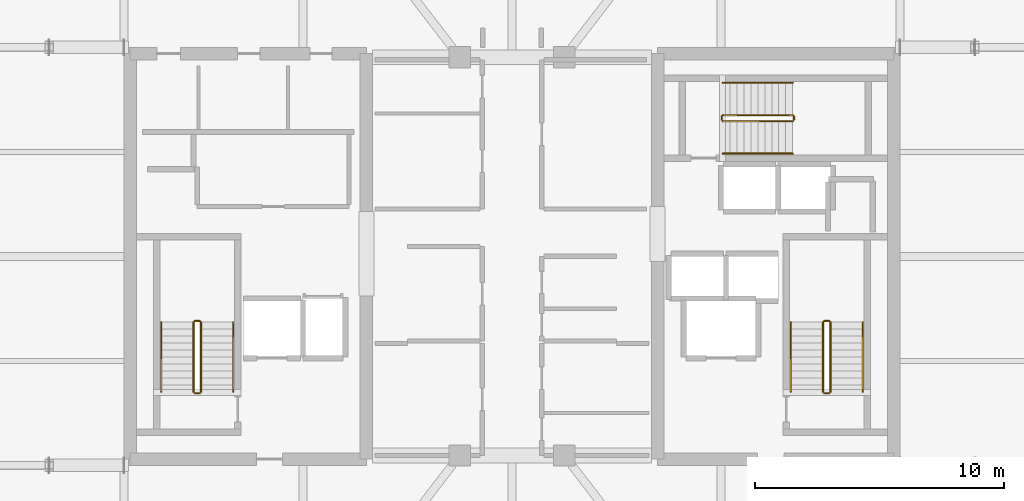
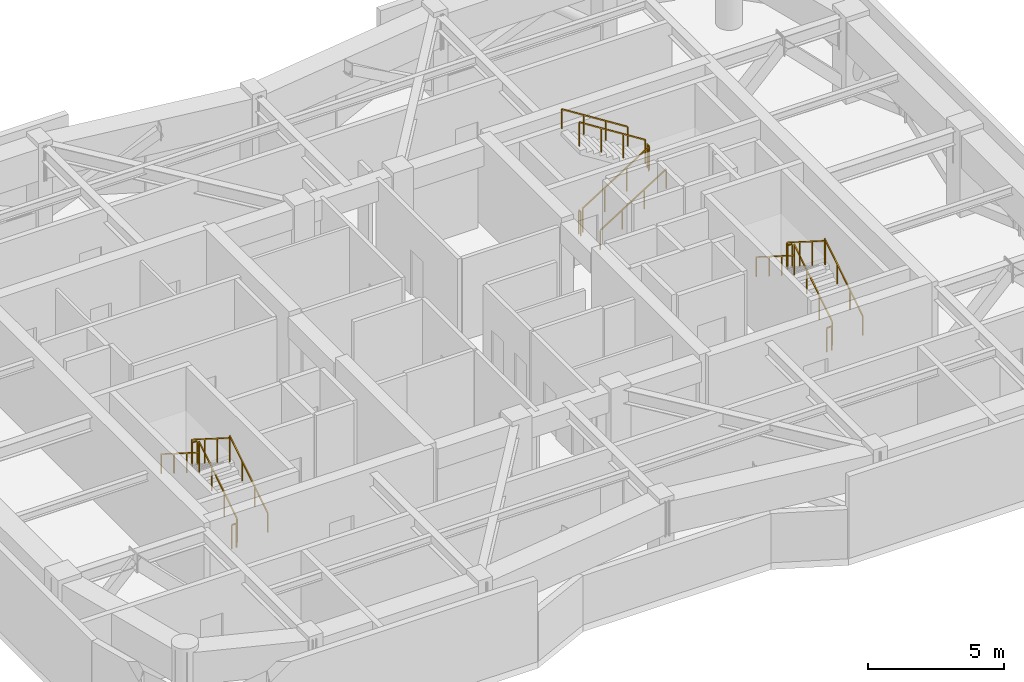
# One storey, part 11 of 11: 18 railings.
"""IFC4 building model written with IfcOpenShell, lengths in metres."""

from ifc_helpers import new_model, si_unit, direction, frame, origin, origin_2d, place, context, subcontext, project, spatial, rectangle, extrude, material, type_object, element, save


model = new_model("IFC4")

# Units and contexts
model_context = context("Model", 3, precision=1e-05, world=origin(), true_north=direction((0.0, 1.0)))
body_context = subcontext(model_context, "Body", "Model", "MODEL_VIEW")
ifc_project = project(units=[si_unit("LENGTHUNIT", "METRE"), si_unit("AREAUNIT", "SQUARE_METRE"), si_unit("VOLUMEUNIT", "CUBIC_METRE"), si_unit("PLANEANGLEUNIT", "RADIAN"), si_unit("MASSUNIT", "GRAM", prefix="KILO")], contexts=[model_context])

# Site, building, storey
site_placement = place(None, origin())
site = spatial("IfcSite", under=ifc_project, at=site_placement, CompositionType="ELEMENT")
building_placement = place(site_placement, origin())
building = spatial("IfcBuilding", under=site, at=building_placement, Name="Kiyonajd Concourse Tower", CompositionType="ELEMENT")
storey_placement = place(building_placement, frame((0.0, 0.0, 282.300048828125)))
storey = spatial("IfcBuildingStorey", under=building, at=storey_placement, Name="L71", CompositionType="ELEMENT", Elevation=282.300048828125)

# Railings
ifc_material_1 = material(Name="Steel ASTM A500 Grade C", Category="steel")
railing_type_1 = type_object("IfcRailingType", Name="RL-GRD-STR", PredefinedType="GUARDRAIL", material=ifc_material_1)
railing_1_placement = place(storey_placement, frame((35.5, 30.550048828125, 0.17724609375)))
element("IfcRailing", 1, at=railing_1_placement, inside=storey, type_object=railing_type_1, Name="L71 ST1 stair guard 1", PredefinedType="GUARDRAIL", context=body_context, shape_type="SweptSolid", body=[
    extrude(rectangle(XDim=0.048095703125, YDim=0.048095703125, at=origin_2d()), frame((0.0, 0.0, 1.076171875), z_axis=(0.0, 0.844908973607, 0.534910110503), x_axis=(-1.0, 0.0, 0.0)), (0.0, 0.0, 1.0), 3.31396484375),
    extrude(rectangle(XDim=0.0419921875, YDim=0.0419921875, at=origin_2d()), origin(), (0.0, 0.0, 1.0), 1.052001953125),
    extrude(rectangle(XDim=0.0419921875, YDim=0.0419921875, at=origin_2d()), frame((0.0, 0.933349609375, 0.5908203125)), (0.0, 0.0, 1.0), 1.052001953125),
    extrude(rectangle(XDim=0.0419921875, YDim=0.0419921875, at=origin_2d()), frame((0.0, 1.86669921875, 1.181884765625)), (0.0, 0.0, 1.0), 1.052001953125),
    extrude(rectangle(XDim=0.0419921875, YDim=0.0419921875, at=origin_2d()), frame((0.0, 2.800048828125, 1.772705078125)), (0.0, 0.0, 1.0), 1.052001953125),
])
railing_2_placement = place(storey_placement, frame((35.449951171875, 33.39990234375, 1.949951171875)))
element("IfcRailing", 2, at=railing_2_placement, inside=storey, type_object=railing_type_1, Name="L71 ST1 stair guard 2", PredefinedType="GUARDRAIL", context=body_context, shape_type="SweptSolid", body=[
    extrude(rectangle(XDim=0.048095703125, YDim=0.048095703125, at=origin_2d()), frame((0.0, 0.0, 1.076171875), z_axis=(-1.0, 0.0, 0.0), x_axis=(0.0, -1.0, 0.0)), (0.0, 0.0, 1.0), 0.199951171875),
    extrude(rectangle(XDim=0.0419921875, YDim=0.0419921875, at=origin_2d()), origin(), (0.0, 0.0, 1.0), 1.052001953125),
    extrude(rectangle(XDim=0.0419921875, YDim=0.0419921875, at=origin_2d()), frame((-0.199951171875, 0.0, 0.0)), (0.0, 0.0, 1.0), 1.052001953125),
])
railing_3_placement = place(storey_placement, frame((35.199951171875, 33.35009765625, 2.127197265625)))
element("IfcRailing", 3, at=railing_3_placement, inside=storey, type_object=railing_type_1, Name="L71 ST1 stair guard 3", PredefinedType="GUARDRAIL", context=body_context, shape_type="SweptSolid", body=[
    extrude(rectangle(XDim=0.048095703125, YDim=0.048095703125, at=origin_2d()), frame((0.0, 0.0, 1.076171875), z_axis=(0.0, -0.844908973607, 0.534910110503), x_axis=(1.0, 0.0, 0.0)), (0.0, 0.0, 1.0), 3.31396484375),
    extrude(rectangle(XDim=0.0419921875, YDim=0.0419921875, at=origin_2d()), origin(), (0.0, 0.0, 1.0), 1.052001953125),
    extrude(rectangle(XDim=0.0419921875, YDim=0.0419921875, at=origin_2d()), frame((0.0, -0.933349609375, 0.5908203125)), (0.0, 0.0, 1.0), 1.052001953125),
    extrude(rectangle(XDim=0.0419921875, YDim=0.0419921875, at=origin_2d()), frame((0.0, -1.86669921875, 1.181884765625)), (0.0, 0.0, 1.0), 1.052001953125),
    extrude(rectangle(XDim=0.0419921875, YDim=0.0419921875, at=origin_2d()), frame((0.0, -2.800048828125, 1.772705078125)), (0.0, 0.0, 1.0), 1.052001953125),
])
railing_4_placement = place(storey_placement, frame((35.449951171875, 30.5, 0.0)))
element("IfcRailing", 4, at=railing_4_placement, inside=storey, type_object=railing_type_1, Name="L71 ST1 stair guard 4", PredefinedType="GUARDRAIL", context=body_context, shape_type="SweptSolid", body=[
    extrude(rectangle(XDim=0.048095703125, YDim=0.048095703125, at=origin_2d()), frame((0.0, 0.0, 1.076171875), z_axis=(-1.0, 0.0, 0.0), x_axis=(0.0, -1.0, 0.0)), (0.0, 0.0, 1.0), 0.199951171875),
    extrude(rectangle(XDim=0.0419921875, YDim=0.0419921875, at=origin_2d()), origin(), (0.0, 0.0, 1.0), 1.052001953125),
    extrude(rectangle(XDim=0.0419921875, YDim=0.0419921875, at=origin_2d()), frame((-0.199951171875, 0.0, 0.0)), (0.0, 0.0, 1.0), 1.052001953125),
])
railing_5_placement = place(storey_placement, frame((60.800048828125, 30.550048828125, 0.17724609375)))
element("IfcRailing", 5, at=railing_5_placement, inside=storey, type_object=railing_type_1, Name="L71 ST2 stair guard 1", PredefinedType="GUARDRAIL", context=body_context, shape_type="SweptSolid", body=[
    extrude(rectangle(XDim=0.048095703125, YDim=0.048095703125, at=origin_2d()), frame((0.0, 0.0, 1.076171875), z_axis=(0.0, 0.844908973607, 0.534910110503), x_axis=(-1.0, 0.0, 0.0)), (0.0, 0.0, 1.0), 3.31396484375),
    extrude(rectangle(XDim=0.0419921875, YDim=0.0419921875, at=origin_2d()), origin(), (0.0, 0.0, 1.0), 1.052001953125),
    extrude(rectangle(XDim=0.0419921875, YDim=0.0419921875, at=origin_2d()), frame((0.0, 0.933349609375, 0.5908203125)), (0.0, 0.0, 1.0), 1.052001953125),
    extrude(rectangle(XDim=0.0419921875, YDim=0.0419921875, at=origin_2d()), frame((0.0, 1.86669921875, 1.181884765625)), (0.0, 0.0, 1.0), 1.052001953125),
    extrude(rectangle(XDim=0.0419921875, YDim=0.0419921875, at=origin_2d()), frame((0.0, 2.800048828125, 1.772705078125)), (0.0, 0.0, 1.0), 1.052001953125),
])
railing_6_placement = place(storey_placement, frame((60.75, 33.39990234375, 1.949951171875)))
element("IfcRailing", 6, at=railing_6_placement, inside=storey, type_object=railing_type_1, Name="L71 ST2 stair guard 2", PredefinedType="GUARDRAIL", context=body_context, shape_type="SweptSolid", body=[
    extrude(rectangle(XDim=0.048095703125, YDim=0.048095703125, at=origin_2d()), frame((0.0, 0.0, 1.076171875), z_axis=(-1.0, 0.0, 0.0), x_axis=(0.0, -1.0, 0.0)), (0.0, 0.0, 1.0), 0.199951171875),
    extrude(rectangle(XDim=0.0419921875, YDim=0.0419921875, at=origin_2d()), origin(), (0.0, 0.0, 1.0), 1.052001953125),
    extrude(rectangle(XDim=0.0419921875, YDim=0.0419921875, at=origin_2d()), frame((-0.199951171875, 0.0, 0.0)), (0.0, 0.0, 1.0), 1.052001953125),
])
railing_7_placement = place(storey_placement, frame((60.5, 33.35009765625, 2.127197265625)))
element("IfcRailing", 7, at=railing_7_placement, inside=storey, type_object=railing_type_1, Name="L71 ST2 stair guard 3", PredefinedType="GUARDRAIL", context=body_context, shape_type="SweptSolid", body=[
    extrude(rectangle(XDim=0.048095703125, YDim=0.048095703125, at=origin_2d()), frame((0.0, 0.0, 1.076171875), z_axis=(0.0, -0.844908973607, 0.534910110503), x_axis=(1.0, 0.0, 0.0)), (0.0, 0.0, 1.0), 3.31396484375),
    extrude(rectangle(XDim=0.0419921875, YDim=0.0419921875, at=origin_2d()), origin(), (0.0, 0.0, 1.0), 1.052001953125),
    extrude(rectangle(XDim=0.0419921875, YDim=0.0419921875, at=origin_2d()), frame((0.0, -0.933349609375, 0.5908203125)), (0.0, 0.0, 1.0), 1.052001953125),
    extrude(rectangle(XDim=0.0419921875, YDim=0.0419921875, at=origin_2d()), frame((0.0, -1.86669921875, 1.181884765625)), (0.0, 0.0, 1.0), 1.052001953125),
    extrude(rectangle(XDim=0.0419921875, YDim=0.0419921875, at=origin_2d()), frame((0.0, -2.800048828125, 1.772705078125)), (0.0, 0.0, 1.0), 1.052001953125),
])
railing_8_placement = place(storey_placement, frame((60.75, 30.5, 0.0)))
element("IfcRailing", 8, at=railing_8_placement, inside=storey, type_object=railing_type_1, Name="L71 ST2 stair guard 4", PredefinedType="GUARDRAIL", context=body_context, shape_type="SweptSolid", body=[
    extrude(rectangle(XDim=0.048095703125, YDim=0.048095703125, at=origin_2d()), frame((0.0, 0.0, 1.076171875), z_axis=(-1.0, 0.0, 0.0), x_axis=(0.0, -1.0, 0.0)), (0.0, 0.0, 1.0), 0.199951171875),
    extrude(rectangle(XDim=0.0419921875, YDim=0.0419921875, at=origin_2d()), origin(), (0.0, 0.0, 1.0), 1.052001953125),
    extrude(rectangle(XDim=0.0419921875, YDim=0.0419921875, at=origin_2d()), frame((-0.199951171875, 0.0, 0.0)), (0.0, 0.0, 1.0), 1.052001953125),
])
railing_9_placement = place(storey_placement, frame((56.47998046875, 41.429931640625, 0.17724609375)))
element("IfcRailing", 9, at=railing_9_placement, inside=storey, type_object=railing_type_1, Name="L71 ST3 stair guard 1", PredefinedType="GUARDRAIL", context=body_context, shape_type="SweptSolid", body=[
    extrude(rectangle(XDim=0.048095703125, YDim=0.048095703125, at=origin_2d()), frame((0.0, 0.0, 1.076171875), z_axis=(0.844908973607, 0.0, 0.534910110503), x_axis=(0.0, 1.0, 0.0)), (0.0, 0.0, 1.0), 3.31396484375),
    extrude(rectangle(XDim=0.0419921875, YDim=0.0419921875, at=origin_2d()), origin(), (0.0, 0.0, 1.0), 1.052001953125),
    extrude(rectangle(XDim=0.0419921875, YDim=0.0419921875, at=origin_2d()), frame((0.933349609375, 0.0, 0.5908203125)), (0.0, 0.0, 1.0), 1.052001953125),
    extrude(rectangle(XDim=0.0419921875, YDim=0.0419921875, at=origin_2d()), frame((1.86669921875, 0.0, 1.181884765625)), (0.0, 0.0, 1.0), 1.052001953125),
    extrude(rectangle(XDim=0.0419921875, YDim=0.0419921875, at=origin_2d()), frame((2.800048828125, 0.0, 1.772705078125)), (0.0, 0.0, 1.0), 1.052001953125),
])
railing_10_placement = place(storey_placement, frame((59.330078125, 41.47998046875, 1.949951171875)))
element("IfcRailing", 10, at=railing_10_placement, inside=storey, type_object=railing_type_1, Name="L71 ST3 stair guard 2", PredefinedType="GUARDRAIL", context=body_context, shape_type="SweptSolid", body=[
    extrude(rectangle(XDim=0.048095703125, YDim=0.048095703125, at=origin_2d()), frame((0.0, 0.0, 1.076171875), z_axis=(0.0, 1.0, 0.0), x_axis=(-1.0, 0.0, 0.0)), (0.0, 0.0, 1.0), 0.14013671875),
    extrude(rectangle(XDim=0.0419921875, YDim=0.0419921875, at=origin_2d()), origin(), (0.0, 0.0, 1.0), 1.052001953125),
    extrude(rectangle(XDim=0.0419921875, YDim=0.0419921875, at=origin_2d()), frame((0.0, 0.14013671875, 0.0)), (0.0, 0.0, 1.0), 1.052001953125),
])
railing_11_placement = place(storey_placement, frame((59.280029296875, 41.669921875, 2.127197265625)))
element("IfcRailing", 11, at=railing_11_placement, inside=storey, type_object=railing_type_1, Name="L71 ST3 stair guard 3", PredefinedType="GUARDRAIL", context=body_context, shape_type="SweptSolid", body=[
    extrude(rectangle(XDim=0.048095703125, YDim=0.048095703125, at=origin_2d()), frame((0.0, 0.0, 1.076171875), z_axis=(-0.844908973607, 0.0, 0.534910110503), x_axis=(0.0, -1.0, 0.0)), (0.0, 0.0, 1.0), 3.31396484375),
    extrude(rectangle(XDim=0.0419921875, YDim=0.0419921875, at=origin_2d()), origin(), (0.0, 0.0, 1.0), 1.052001953125),
    extrude(rectangle(XDim=0.0419921875, YDim=0.0419921875, at=origin_2d()), frame((-0.933349609375, 0.0, 0.5908203125)), (0.0, 0.0, 1.0), 1.052001953125),
    extrude(rectangle(XDim=0.0419921875, YDim=0.0419921875, at=origin_2d()), frame((-1.86669921875, 0.0, 1.181884765625)), (0.0, 0.0, 1.0), 1.052001953125),
    extrude(rectangle(XDim=0.0419921875, YDim=0.0419921875, at=origin_2d()), frame((-2.800048828125, 0.0, 1.772705078125)), (0.0, 0.0, 1.0), 1.052001953125),
])
railing_12_placement = place(storey_placement, frame((56.429931640625, 41.47998046875, 0.0)))
element("IfcRailing", 12, at=railing_12_placement, inside=storey, type_object=railing_type_1, Name="L71 ST3 stair guard 4", PredefinedType="GUARDRAIL", context=body_context, shape_type="SweptSolid", body=[
    extrude(rectangle(XDim=0.048095703125, YDim=0.048095703125, at=origin_2d()), frame((0.0, 0.0, 1.076171875), z_axis=(0.0, 1.0, 0.0), x_axis=(-1.0, 0.0, 0.0)), (0.0, 0.0, 1.0), 0.14013671875),
    extrude(rectangle(XDim=0.0419921875, YDim=0.0419921875, at=origin_2d()), origin(), (0.0, 0.0, 1.0), 1.052001953125),
    extrude(rectangle(XDim=0.0419921875, YDim=0.0419921875, at=origin_2d()), frame((0.0, 0.14013671875, 0.0)), (0.0, 0.0, 1.0), 1.052001953125),
])
ifc_material_2 = material(Name="Brushed Stainless Steel Cab Assembly", Category="steel")
railing_type_2 = type_object("IfcRailingType", Name="RL-HND-900", PredefinedType="HANDRAIL", material=ifc_material_2)
railing_13_placement = place(storey_placement, frame((36.800048828125, 30.550048828125, 0.17724609375)))
element("IfcRailing", 13, at=railing_13_placement, inside=storey, type_object=railing_type_2, Name="L71 ST1 stair handrail 1", PredefinedType="HANDRAIL", context=body_context, shape_type="SweptSolid", body=[
    extrude(rectangle(XDim=0.048095703125, YDim=0.048095703125, at=origin_2d()), frame((0.0, 0.0, 0.8759765625), z_axis=(0.0, 0.844908973607, 0.534910110503), x_axis=(-1.0, 0.0, 0.0)), (0.0, 0.0, 1.0), 3.31396484375),
    extrude(rectangle(XDim=0.0419921875, YDim=0.0419921875, at=origin_2d()), origin(), (0.0, 0.0, 1.0), 0.851806640625),
    extrude(rectangle(XDim=0.0419921875, YDim=0.0419921875, at=origin_2d()), frame((0.0, 0.933349609375, 0.5908203125)), (0.0, 0.0, 1.0), 0.851806640625),
    extrude(rectangle(XDim=0.0419921875, YDim=0.0419921875, at=origin_2d()), frame((0.0, 1.86669921875, 1.181884765625)), (0.0, 0.0, 1.0), 0.851806640625),
    extrude(rectangle(XDim=0.0419921875, YDim=0.0419921875, at=origin_2d()), frame((0.0, 2.800048828125, 1.772705078125)), (0.0, 0.0, 1.0), 0.851806640625),
])
railing_14_placement = place(storey_placement, frame((33.89990234375, 33.35009765625, 2.127197265625)))
element("IfcRailing", 14, at=railing_14_placement, inside=storey, type_object=railing_type_2, Name="L71 ST1 stair handrail 2", PredefinedType="HANDRAIL", context=body_context, shape_type="SweptSolid", body=[
    extrude(rectangle(XDim=0.048095703125, YDim=0.048095703125, at=origin_2d()), frame((0.0, 0.0, 0.8759765625), z_axis=(0.0, -0.844908973607, 0.534910110503), x_axis=(1.0, 0.0, 0.0)), (0.0, 0.0, 1.0), 3.31396484375),
    extrude(rectangle(XDim=0.0419921875, YDim=0.0419921875, at=origin_2d()), origin(), (0.0, 0.0, 1.0), 0.851806640625),
    extrude(rectangle(XDim=0.0419921875, YDim=0.0419921875, at=origin_2d()), frame((0.0, -0.933349609375, 0.5908203125)), (0.0, 0.0, 1.0), 0.851806640625),
    extrude(rectangle(XDim=0.0419921875, YDim=0.0419921875, at=origin_2d()), frame((0.0, -1.86669921875, 1.181884765625)), (0.0, 0.0, 1.0), 0.851806640625),
    extrude(rectangle(XDim=0.0419921875, YDim=0.0419921875, at=origin_2d()), frame((0.0, -2.800048828125, 1.772705078125)), (0.0, 0.0, 1.0), 0.851806640625),
])
railing_15_placement = place(storey_placement, frame((62.10009765625, 30.550048828125, 0.17724609375)))
element("IfcRailing", 15, at=railing_15_placement, inside=storey, type_object=railing_type_2, Name="L71 ST2 stair handrail 1", PredefinedType="HANDRAIL", context=body_context, shape_type="SweptSolid", body=[
    extrude(rectangle(XDim=0.048095703125, YDim=0.048095703125, at=origin_2d()), frame((0.0, 0.0, 0.8759765625), z_axis=(0.0, 0.844908973607, 0.534910110503), x_axis=(-1.0, 0.0, 0.0)), (0.0, 0.0, 1.0), 3.31396484375),
    extrude(rectangle(XDim=0.0419921875, YDim=0.0419921875, at=origin_2d()), origin(), (0.0, 0.0, 1.0), 0.851806640625),
    extrude(rectangle(XDim=0.0419921875, YDim=0.0419921875, at=origin_2d()), frame((0.0, 0.933349609375, 0.5908203125)), (0.0, 0.0, 1.0), 0.851806640625),
    extrude(rectangle(XDim=0.0419921875, YDim=0.0419921875, at=origin_2d()), frame((0.0, 1.86669921875, 1.181884765625)), (0.0, 0.0, 1.0), 0.851806640625),
    extrude(rectangle(XDim=0.0419921875, YDim=0.0419921875, at=origin_2d()), frame((0.0, 2.800048828125, 1.772705078125)), (0.0, 0.0, 1.0), 0.851806640625),
])
railing_16_placement = place(storey_placement, frame((59.199951171875, 33.35009765625, 2.127197265625)))
element("IfcRailing", 16, at=railing_16_placement, inside=storey, type_object=railing_type_2, Name="L71 ST2 stair handrail 2", PredefinedType="HANDRAIL", context=body_context, shape_type="SweptSolid", body=[
    extrude(rectangle(XDim=0.048095703125, YDim=0.048095703125, at=origin_2d()), frame((0.0, 0.0, 0.8759765625), z_axis=(0.0, -0.844908973607, 0.534910110503), x_axis=(1.0, 0.0, 0.0)), (0.0, 0.0, 1.0), 3.31396484375),
    extrude(rectangle(XDim=0.0419921875, YDim=0.0419921875, at=origin_2d()), origin(), (0.0, 0.0, 1.0), 0.851806640625),
    extrude(rectangle(XDim=0.0419921875, YDim=0.0419921875, at=origin_2d()), frame((0.0, -0.933349609375, 0.5908203125)), (0.0, 0.0, 1.0), 0.851806640625),
    extrude(rectangle(XDim=0.0419921875, YDim=0.0419921875, at=origin_2d()), frame((0.0, -1.86669921875, 1.181884765625)), (0.0, 0.0, 1.0), 0.851806640625),
    extrude(rectangle(XDim=0.0419921875, YDim=0.0419921875, at=origin_2d()), frame((0.0, -2.800048828125, 1.772705078125)), (0.0, 0.0, 1.0), 0.851806640625),
])
railing_17_placement = place(storey_placement, frame((56.47998046875, 40.1298828125, 0.17724609375)))
element("IfcRailing", 17, at=railing_17_placement, inside=storey, type_object=railing_type_2, Name="L71 ST3 stair handrail 1", PredefinedType="HANDRAIL", context=body_context, shape_type="SweptSolid", body=[
    extrude(rectangle(XDim=0.048095703125, YDim=0.048095703125, at=origin_2d()), frame((0.0, 0.0, 0.8759765625), z_axis=(0.844908973607, 0.0, 0.534910110503), x_axis=(0.0, 1.0, 0.0)), (0.0, 0.0, 1.0), 3.31396484375),
    extrude(rectangle(XDim=0.0419921875, YDim=0.0419921875, at=origin_2d()), origin(), (0.0, 0.0, 1.0), 0.851806640625),
    extrude(rectangle(XDim=0.0419921875, YDim=0.0419921875, at=origin_2d()), frame((0.933349609375, 0.0, 0.5908203125)), (0.0, 0.0, 1.0), 0.851806640625),
    extrude(rectangle(XDim=0.0419921875, YDim=0.0419921875, at=origin_2d()), frame((1.86669921875, 0.0, 1.181884765625)), (0.0, 0.0, 1.0), 0.851806640625),
    extrude(rectangle(XDim=0.0419921875, YDim=0.0419921875, at=origin_2d()), frame((2.800048828125, 0.0, 1.772705078125)), (0.0, 0.0, 1.0), 0.851806640625),
])
railing_18_placement = place(storey_placement, frame((59.280029296875, 42.969970703125, 2.127197265625)))
element("IfcRailing", 18, at=railing_18_placement, inside=storey, type_object=railing_type_2, Name="L71 ST3 stair handrail 2", PredefinedType="HANDRAIL", context=body_context, shape_type="SweptSolid", body=[
    extrude(rectangle(XDim=0.048095703125, YDim=0.048095703125, at=origin_2d()), frame((0.0, 0.0, 0.8759765625), z_axis=(-0.844908973607, 0.0, 0.534910110503), x_axis=(0.0, -1.0, 0.0)), (0.0, 0.0, 1.0), 3.31396484375),
    extrude(rectangle(XDim=0.0419921875, YDim=0.0419921875, at=origin_2d()), origin(), (0.0, 0.0, 1.0), 0.851806640625),
    extrude(rectangle(XDim=0.0419921875, YDim=0.0419921875, at=origin_2d()), frame((-0.933349609375, 0.0, 0.5908203125)), (0.0, 0.0, 1.0), 0.851806640625),
    extrude(rectangle(XDim=0.0419921875, YDim=0.0419921875, at=origin_2d()), frame((-1.86669921875, 0.0, 1.181884765625)), (0.0, 0.0, 1.0), 0.851806640625),
    extrude(rectangle(XDim=0.0419921875, YDim=0.0419921875, at=origin_2d()), frame((-2.800048828125, 0.0, 1.772705078125)), (0.0, 0.0, 1.0), 0.851806640625),
])

save(model, "model.ifc")
